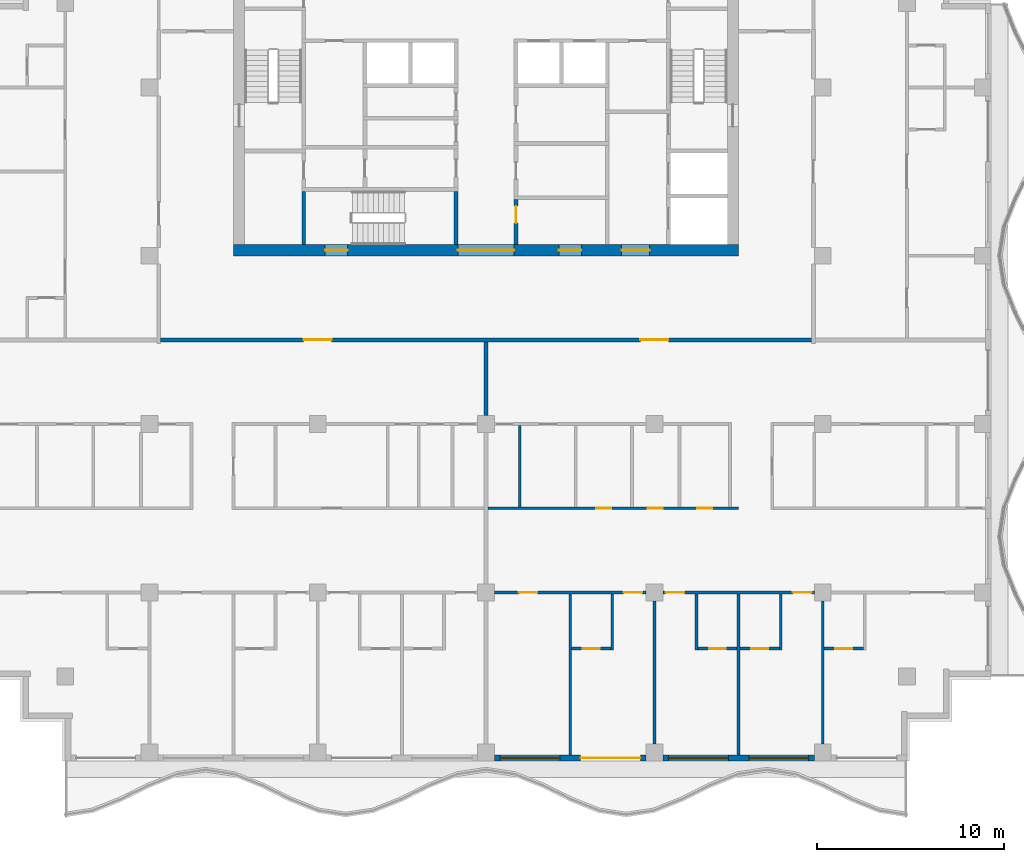
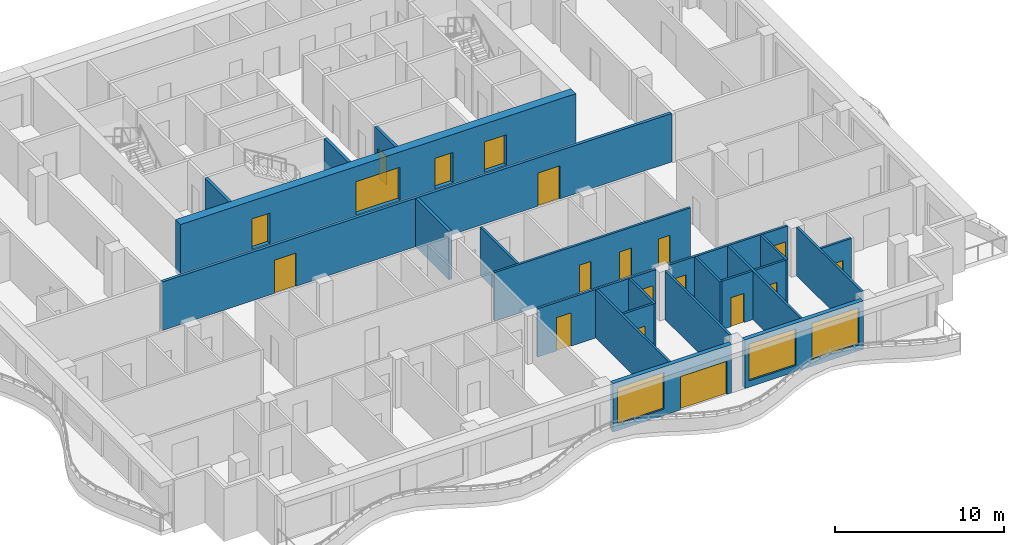
# One storey, part 3 of 11: 23 walls, 19 doors, 3 windows, 22 openings.
"""IFC4 building model written with IfcOpenShell, lengths in metres."""

from ifc_helpers import new_model, si_unit, direction, frame, frame_2d, origin, place, context, subcontext, project, spatial, rectangle, extrude, material, layer, layer_set, type_object, element, fill, save


model = new_model("IFC4")

# Units and contexts
model_context = context("Model", 3, precision=1e-05, world=origin(), true_north=direction((0.0, 1.0)))
body_context = subcontext(model_context, "Body", "Model", "MODEL_VIEW")
ifc_project = project(units=[si_unit("LENGTHUNIT", "METRE"), si_unit("AREAUNIT", "SQUARE_METRE"), si_unit("VOLUMEUNIT", "CUBIC_METRE"), si_unit("PLANEANGLEUNIT", "RADIAN"), si_unit("MASSUNIT", "GRAM", prefix="KILO")], contexts=[model_context])

# Site, building, storey
site_placement = place(None, origin())
site = spatial("IfcSite", under=ifc_project, at=site_placement, CompositionType="ELEMENT")
building_placement = place(site_placement, origin())
building = spatial("IfcBuilding", under=site, at=building_placement, Name="Orbiselva Terraces", CompositionType="ELEMENT")
storey_placement = place(building_placement, frame((0.0, 0.0, 280.6)))
storey = spatial("IfcBuildingStorey", under=building, at=storey_placement, Name="L71", CompositionType="ELEMENT", Elevation=280.6)

# Wall, openings, doors
ifc_material_1 = material(Name="Concrete C80/95", Category="concrete")
ifc_layer_1 = layer(ifc_material_1, 0.6)
ifc_layer_set_1 = layer_set([ifc_layer_1], Name="Concrete C80/95")
wall_type_1 = type_object("IfcWallType", Name="CORE WALL 600", PredefinedType="SHEAR", material=ifc_layer_set_1)
wall_1_placement = place(storey_placement, frame((-13.5, 4.8, -0.3), z_axis=(0.0, 0.0, 1.0), x_axis=(1.0, 0.0, 0.0)))
wall_1 = element("IfcWall", 1, at=wall_1_placement, inside=storey, type_object=wall_type_1, Name="Core wall L71 south", PredefinedType="SHEAR", context=body_context, shape_type="SweptSolid", body=[
    extrude(rectangle(XDim=27.0, YDim=0.6, at=frame_2d((13.5, 0.0))), origin(), (0.0, 0.0, 1.0), 3.8),
])
opening_1_placement = place(wall_1_placement, frame((12.0, 0.0, 0.3)))
opening_1 = element("IfcOpeningElement", 2, at=opening_1_placement, cuts=wall_1, Name="Opening DL3000", PredefinedType="OPENING", context=body_context, shape_type="SweptSolid", body=[
    extrude(rectangle(XDim=3.0, YDim=2.4, at=frame_2d((1.5, 1.2))), frame((0.0, 0.31, 0.0), z_axis=(0.0, -1.0, 0.0), x_axis=(1.0, 0.0, 0.0)), (0.0, 0.0, 1.0), 0.62),
])
opening_2_placement = place(wall_1_placement, frame((4.9, 0.0, 0.3)))
opening_2 = element("IfcOpeningElement", 3, at=opening_2_placement, cuts=wall_1, Name="Opening DS1200", PredefinedType="OPENING", context=body_context, shape_type="SweptSolid", body=[
    extrude(rectangle(XDim=1.2, YDim=2.2, at=frame_2d((0.6, 1.1))), frame((0.0, 0.31, 0.0), z_axis=(0.0, -1.0, 0.0), x_axis=(1.0, 0.0, 0.0)), (0.0, 0.0, 1.0), 0.62),
])
opening_3_placement = place(wall_1_placement, frame((20.75, 0.0, 0.3)))
opening_3 = element("IfcOpeningElement", 4, at=opening_3_placement, cuts=wall_1, Name="Opening DF1500", PredefinedType="OPENING", context=body_context, shape_type="SweptSolid", body=[
    extrude(rectangle(XDim=1.5, YDim=2.2, at=frame_2d((0.75, 1.1))), frame((0.0, 0.31, 0.0), z_axis=(0.0, -1.0, 0.0), x_axis=(1.0, 0.0, 0.0)), (0.0, 0.0, 1.0), 0.62),
])
opening_4_placement = place(wall_1_placement, frame((17.4, 0.0, 0.3)))
opening_4 = element("IfcOpeningElement", 5, at=opening_4_placement, cuts=wall_1, Name="Opening DV1200", PredefinedType="OPENING", context=body_context, shape_type="SweptSolid", body=[
    extrude(rectangle(XDim=1.2, YDim=2.2, at=frame_2d((0.6, 1.1))), frame((0.0, 0.31, 0.0), z_axis=(0.0, -1.0, 0.0), x_axis=(1.0, 0.0, 0.0)), (0.0, 0.0, 1.0), 0.62),
])
ifc_material_2 = material(Name="Steel fire door", Category="steel")
door_type_1 = type_object("IfcDoorType", Name="FFL DOOR 1500", OperationType="DOUBLE_DOOR_SINGLE_SWING", PredefinedType="DOOR", material=ifc_material_2)
door_1_placement = place(opening_3_placement, frame((1.5, 0.0, 0.0), z_axis=(0.0, 0.0, 1.0), x_axis=(-1.0, 0.0, 0.0)))
door_1 = element("IfcDoor", 6, at=door_1_placement, inside=storey, type_object=door_type_1, Name="L71 FIRE-FIGHTING LOBBY door", OperationType="DOUBLE_DOOR_SINGLE_SWING", OverallHeight=2.2, OverallWidth=1.5, PredefinedType="DOOR", context=body_context, shape_type="SweptSolid", body=[
    extrude(rectangle(XDim=1.5, YDim=2.2, at=frame_2d((0.75, 1.1))), frame((0.0, 0.025, 0.0), z_axis=(0.0, -1.0, 0.0), x_axis=(1.0, 0.0, 0.0)), (0.0, 0.0, 1.0), 0.05),
])
fill(opening_3, door_1)
door_type_2 = type_object("IfcDoorType", Name="LOBBY DOOR 3000", OperationType="DOUBLE_DOOR_SINGLE_SWING", PredefinedType="DOOR", material=ifc_material_2)
door_2_placement = place(opening_1_placement, frame((3.0, 0.0, 0.0), z_axis=(0.0, 0.0, 1.0), x_axis=(-1.0, 0.0, 0.0)))
door_2 = element("IfcDoor", 7, at=door_2_placement, inside=storey, type_object=door_type_2, Name="L71 LIFT LOBBY door", OperationType="DOUBLE_DOOR_SINGLE_SWING", OverallHeight=2.4, OverallWidth=3.0, PredefinedType="DOOR", context=body_context, shape_type="SweptSolid", body=[
    extrude(rectangle(XDim=3.0, YDim=2.4, at=frame_2d((1.5, 1.2))), frame((0.0, 0.025, 0.0), z_axis=(0.0, -1.0, 0.0), x_axis=(1.0, 0.0, 0.0)), (0.0, 0.0, 1.0), 0.05),
])
fill(opening_1, door_2)
door_type_3 = type_object("IfcDoorType", Name="SERVICE DOOR 1200", OperationType="NOTDEFINED", PredefinedType="DOOR", material=ifc_material_2)
door_3_placement = place(opening_4_placement, frame((1.2, 0.0, 0.0), z_axis=(0.0, 0.0, 1.0), x_axis=(-1.0, 0.0, 0.0)))
door_3 = element("IfcDoor", 8, at=door_3_placement, inside=storey, type_object=door_type_3, Name="L71 ELECTRICAL RISER ROOM door", OperationType="SINGLE_SWING_RIGHT", OverallHeight=2.2, OverallWidth=1.2, PredefinedType="DOOR", context=body_context, shape_type="SweptSolid", body=[
    extrude(rectangle(XDim=1.2, YDim=2.2, at=frame_2d((0.6, 1.1))), frame((0.0, 0.025, 0.0), z_axis=(0.0, -1.0, 0.0), x_axis=(1.0, 0.0, 0.0)), (0.0, 0.0, 1.0), 0.05),
])
fill(opening_4, door_3)
door_type_4 = type_object("IfcDoorType", Name="STAIR DOOR 1200", OperationType="NOTDEFINED", PredefinedType="DOOR", material=ifc_material_2)
door_4_placement = place(opening_2_placement, frame((1.2, 0.0, 0.0), z_axis=(0.0, 0.0, 1.0), x_axis=(-1.0, 0.0, 0.0)))
door_4 = element("IfcDoor", 9, at=door_4_placement, inside=storey, type_object=door_type_4, Name="L71 EXIT STAIR S3 door", OperationType="SINGLE_SWING_LEFT", OverallHeight=2.2, OverallWidth=1.2, PredefinedType="DOOR", context=body_context, shape_type="SweptSolid", body=[
    extrude(rectangle(XDim=1.2, YDim=2.2, at=frame_2d((0.6, 1.1))), frame((0.0, 0.025, 0.0), z_axis=(0.0, -1.0, 0.0), x_axis=(1.0, 0.0, 0.0)), (0.0, 0.0, 1.0), 0.05),
])
fill(opening_2, door_4)

# Wall, opening, door
ifc_material_3 = material(Name="Masonry blockwork", Category="masonry")
ifc_layer_2 = layer(ifc_material_3, 0.2)
ifc_layer_set_2 = layer_set([ifc_layer_2], Name="Masonry blockwork")
wall_type_2 = type_object("IfcWallType", Name="CORE-WALL-PARTITION-200", PredefinedType="PARTITIONING", material=ifc_layer_set_2)
wall_2_placement = place(storey_placement, frame((1.6, 7.5, 0.0), z_axis=(0.0, 0.0, 1.0), x_axis=(0.0, -1.0, 0.0)))
wall_2 = element("IfcWall", 10, at=wall_2_placement, inside=storey, type_object=wall_type_2, Name="L71 core wall 27", PredefinedType="PARTITIONING", context=body_context, shape_type="SweptSolid", body=[
    extrude(rectangle(XDim=2.4, YDim=0.2, at=frame_2d((1.2, 0.0))), origin(), (0.0, 0.0, 1.0), 3.5),
])
opening_5_placement = place(wall_2_placement, frame((0.35, 0.0, 0.0)))
opening_5 = element("IfcOpeningElement", 11, at=opening_5_placement, cuts=wall_2, Name="Opening DR900", PredefinedType="OPENING", context=body_context, shape_type="SweptSolid", body=[
    extrude(rectangle(XDim=0.9, YDim=2.1, at=frame_2d((0.45, 1.05))), frame((0.0, 0.11, 0.0), z_axis=(0.0, -1.0, 0.0), x_axis=(1.0, 0.0, 0.0)), (0.0, 0.0, 1.0), 0.22),
])
door_type_5 = type_object("IfcDoorType", Name="ROOM DOOR 900", OperationType="NOTDEFINED", PredefinedType="DOOR", material=ifc_material_2)
door_5_placement = place(opening_5_placement, origin())
door_5 = element("IfcDoor", 12, at=door_5_placement, inside=storey, type_object=door_type_5, Name="L71 ELECTRICAL RISER ROOM door", OperationType="SINGLE_SWING_LEFT", OverallHeight=2.1, OverallWidth=0.9, PredefinedType="DOOR", context=body_context, shape_type="SweptSolid", body=[
    extrude(rectangle(XDim=0.9, YDim=2.1, at=frame_2d((0.45, 1.05))), frame((0.0, 0.025, 0.0), z_axis=(0.0, -1.0, 0.0), x_axis=(1.0, 0.0, 0.0)), (0.0, 0.0, 1.0), 0.05),
])
fill(opening_5, door_5)

# Walls
ifc_material_4 = material(Name="Concrete C60/75", Category="concrete")
ifc_layer_3 = layer(ifc_material_4, 0.2)
ifc_layer_set_3 = layer_set([ifc_layer_3], Name="Concrete C60/75")
wall_type_3 = type_object("IfcWallType", Name="CORE-WALL-SHEAR-200", PredefinedType="SHEAR", material=ifc_layer_set_3)
for number, where, z_axis, x_axis, name in (
    (13, (-9.75, 5.1, 0.0), (0.0, 0.0, 1.0), (0.0, 1.0, 0.0), "L71 core wall 03"),
    (14, (-1.6, 5.1, 0.0), (0.0, 0.0, 1.0), (0.0, 1.0, 0.0), "L71 core wall 21"),
):
    element("IfcWall", number, at=place(storey_placement, frame(where, z_axis=z_axis, x_axis=x_axis)), inside=storey, type_object=wall_type_3, Name=name, PredefinedType="SHEAR", context=body_context, shape_type="SweptSolid", body=[
        extrude(rectangle(XDim=2.85, YDim=0.2, at=frame_2d((1.425, 0.0))), origin(), (0.0, 0.0, 1.0), 3.5),
    ])

# Wall, openings, door, window
ifc_material_5 = material(Name="Terracotta cladding on masonry backing", Category="masonry")
ifc_layer_4 = layer(ifc_material_5, 0.3)
ifc_layer_set_4 = layer_set([ifc_layer_4], Name="Terracotta cladding on masonry backing")
wall_type_4 = type_object("IfcWallType", Name="ENV-WALL-TERRACOTTA-300", PredefinedType="SOLIDWALL", material=ifc_layer_set_4)
wall_3_placement = place(storey_placement, frame((8.55, -22.35, 0.0), z_axis=(0.0, 0.0, 1.0), x_axis=(-1.0, 0.0, 0.0)))
wall_3 = element("IfcWall", 15, at=wall_3_placement, inside=storey, type_object=wall_type_4, Name="Facade wall L71 S", PredefinedType="SOLIDWALL", context=body_context, shape_type="SweptSolid", body=[
    extrude(rectangle(XDim=8.1, YDim=0.3, at=frame_2d((4.05, 0.0))), origin(), (0.0, 0.0, 1.0), 3.5),
])
opening_6_placement = place(wall_3_placement, frame((4.6, 0.0, 0.45)))
opening_6 = element("IfcOpeningElement", 16, at=opening_6_placement, cuts=wall_3, Name="Opening WN17", PredefinedType="OPENING", context=body_context, shape_type="SweptSolid", body=[
    extrude(rectangle(XDim=3.2, YDim=2.65, at=frame_2d((1.6, 1.325))), frame((0.0, 0.16, 0.0), z_axis=(0.0, -1.0, 0.0), x_axis=(1.0, 0.0, 0.0)), (0.0, 0.0, 1.0), 0.32),
])
opening_7_placement = place(wall_3_placement, frame((0.3, 0.0, 0.0)))
opening_7 = element("IfcOpeningElement", 17, at=opening_7_placement, cuts=wall_3, Name="Opening Z5-D-E13", PredefinedType="OPENING", context=body_context, shape_type="SweptSolid", body=[
    extrude(rectangle(XDim=3.2, YDim=2.4, at=frame_2d((1.6, 1.2))), frame((0.0, 0.16, 0.0), z_axis=(0.0, -1.0, 0.0), x_axis=(1.0, 0.0, 0.0)), (0.0, 0.0, 1.0), 0.32),
])
ifc_material_6 = material(Name="Clear low-e glazing in aluminium frame", Category="aluminium")
door_type_6 = type_object("IfcDoorType", Name="BALCONY DOOR 3200 X 2400", OperationType="DOUBLE_DOOR_SLIDING", PredefinedType="DOOR", material=ifc_material_6)
door_6_placement = place(opening_7_placement, origin())
door_6 = element("IfcDoor", 18, at=door_6_placement, inside=storey, type_object=door_type_6, Name="Z5-D-E13", OperationType="SINGLE_SWING_LEFT", OverallHeight=2.4, OverallWidth=3.2, PredefinedType="DOOR", context=body_context, shape_type="SweptSolid", body=[
    extrude(rectangle(XDim=3.2, YDim=2.4, at=frame_2d((1.6, 1.2))), frame((0.0, 0.025, 0.0), z_axis=(0.0, -1.0, 0.0), x_axis=(1.0, 0.0, 0.0)), (0.0, 0.0, 1.0), 0.05),
])
fill(opening_7, door_6)
window_type = type_object("IfcWindowType", Name="WINDOW 3200 X 2650 S450", PartitioningType="TRIPLE_PANEL_VERTICAL", PredefinedType="WINDOW", material=ifc_material_6)
window_1_placement = place(opening_6_placement, origin())
window_1 = element("IfcWindow", 19, at=window_1_placement, inside=storey, type_object=window_type, Name="Window L71 S", OverallHeight=2.65, OverallWidth=3.2, PartitioningType="SINGLE_PANEL", PredefinedType="WINDOW", context=body_context, shape_type="SweptSolid", body=[
    extrude(rectangle(XDim=3.2, YDim=2.65, at=frame_2d((1.6, 1.325))), frame((0.0, 0.03, 0.0), z_axis=(0.0, -1.0, 0.0), x_axis=(1.0, 0.0, 0.0)), (0.0, 0.0, 1.0), 0.06),
])
fill(opening_6, window_1)

# Wall, openings, windows
wall_4_placement = place(storey_placement, frame((17.55, -22.35, 0.0), z_axis=(0.0, 0.0, 1.0), x_axis=(-1.0, 0.0, 0.0)))
wall_4 = element("IfcWall", 20, at=wall_4_placement, inside=storey, type_object=wall_type_4, Name="Facade wall L71 S", PredefinedType="SOLIDWALL", context=body_context, shape_type="SweptSolid", body=[
    extrude(rectangle(XDim=8.1, YDim=0.3, at=frame_2d((4.05, 0.0))), origin(), (0.0, 0.0, 1.0), 3.5),
])
opening_8_placement = place(wall_4_placement, frame((4.6, 0.0, 0.45)))
opening_8 = element("IfcOpeningElement", 21, at=opening_8_placement, cuts=wall_4, Name="Opening WN17", PredefinedType="OPENING", context=body_context, shape_type="SweptSolid", body=[
    extrude(rectangle(XDim=3.2, YDim=2.65, at=frame_2d((1.6, 1.325))), frame((0.0, 0.16, 0.0), z_axis=(0.0, -1.0, 0.0), x_axis=(1.0, 0.0, 0.0)), (0.0, 0.0, 1.0), 0.32),
])
opening_9_placement = place(wall_4_placement, frame((0.3, 0.0, 0.45)))
opening_9 = element("IfcOpeningElement", 22, at=opening_9_placement, cuts=wall_4, Name="Opening WN17", PredefinedType="OPENING", context=body_context, shape_type="SweptSolid", body=[
    extrude(rectangle(XDim=3.2, YDim=2.65, at=frame_2d((1.6, 1.325))), frame((0.0, 0.16, 0.0), z_axis=(0.0, -1.0, 0.0), x_axis=(1.0, 0.0, 0.0)), (0.0, 0.0, 1.0), 0.32),
])
window_2_placement = place(opening_8_placement, origin())
window_2 = element("IfcWindow", 23, at=window_2_placement, inside=storey, type_object=window_type, Name="Window L71 S", OverallHeight=2.65, OverallWidth=3.2, PartitioningType="SINGLE_PANEL", PredefinedType="WINDOW", context=body_context, shape_type="SweptSolid", body=[
    extrude(rectangle(XDim=3.2, YDim=2.65, at=frame_2d((1.6, 1.325))), frame((0.0, 0.03, 0.0), z_axis=(0.0, -1.0, 0.0), x_axis=(1.0, 0.0, 0.0)), (0.0, 0.0, 1.0), 0.06),
])
fill(opening_8, window_2)
window_3_placement = place(opening_9_placement, origin())
window_3 = element("IfcWindow", 24, at=window_3_placement, inside=storey, type_object=window_type, Name="Window L71 S", OverallHeight=2.65, OverallWidth=3.2, PartitioningType="SINGLE_PANEL", PredefinedType="WINDOW", context=body_context, shape_type="SweptSolid", body=[
    extrude(rectangle(XDim=3.2, YDim=2.65, at=frame_2d((1.6, 1.325))), frame((0.0, 0.03, 0.0), z_axis=(0.0, -1.0, 0.0), x_axis=(1.0, 0.0, 0.0)), (0.0, 0.0, 1.0), 0.06),
])
fill(opening_9, window_3)

# Wall, openings, doors
ifc_material_7 = material(Name="Plasterboard on steel stud partition", Category="steel")
ifc_layer_5 = layer(ifc_material_7, 0.2)
ifc_layer_set_5 = layer_set([ifc_layer_5], Name="Plasterboard on steel stud partition")
wall_type_5 = type_object("IfcWallType", Name="UNIT-ENTRANCE-WALL-200", PredefinedType="PARTITIONING", material=ifc_layer_set_5)
wall_5_placement = place(storey_placement, frame((17.4, 0.0, 0.0), z_axis=(0.0, 0.0, 1.0), x_axis=(-1.0, 0.0, 0.0)))
wall_5 = element("IfcWall", 25, at=wall_5_placement, inside=storey, type_object=wall_type_5, Name="PARTITION L71-027", PredefinedType="PARTITIONING", context=body_context, shape_type="SweptSolid", body=[
    extrude(rectangle(XDim=34.8, YDim=0.2, at=frame_2d((17.4, 0.0))), origin(), (0.0, 0.0, 1.0), 3.5),
])
opening_10_placement = place(wall_5_placement, frame((25.65, 0.0, 0.0)))
opening_10 = element("IfcOpeningElement", 26, at=opening_10_placement, cuts=wall_5, Name="Opening Z5-D-15", PredefinedType="OPENING", context=body_context, shape_type="SweptSolid", body=[
    extrude(rectangle(XDim=1.5, YDim=2.4, at=frame_2d((0.75, 1.2))), frame((0.0, 0.11, 0.0), z_axis=(0.0, -1.0, 0.0), x_axis=(1.0, 0.0, 0.0)), (0.0, 0.0, 1.0), 0.22),
])
opening_11_placement = place(wall_5_placement, frame((7.65, 0.0, 0.0)))
opening_11 = element("IfcOpeningElement", 27, at=opening_11_placement, cuts=wall_5, Name="Opening Z5-D-34", PredefinedType="OPENING", context=body_context, shape_type="SweptSolid", body=[
    extrude(rectangle(XDim=1.5, YDim=2.4, at=frame_2d((0.75, 1.2))), frame((0.0, 0.11, 0.0), z_axis=(0.0, -1.0, 0.0), x_axis=(1.0, 0.0, 0.0)), (0.0, 0.0, 1.0), 0.22),
])
ifc_material_8 = material(Name="Painted timber door leaf", Category="wood")
door_type_7 = type_object("IfcDoorType", Name="ENTRANCE DOUBLE DOOR 1500", OperationType="NOTDEFINED", PredefinedType="DOOR", material=ifc_material_8)
door_7_placement = place(opening_10_placement, origin())
door_7 = element("IfcDoor", 28, at=door_7_placement, inside=storey, type_object=door_type_7, Name="Z5-D-15", OperationType="DOUBLE_DOOR_SINGLE_SWING", OverallHeight=2.4, OverallWidth=1.5, PredefinedType="DOOR", context=body_context, shape_type="SweptSolid", body=[
    extrude(rectangle(XDim=1.5, YDim=2.4, at=frame_2d((0.75, 1.2))), frame((0.0, 0.025, 0.0), z_axis=(0.0, -1.0, 0.0), x_axis=(1.0, 0.0, 0.0)), (0.0, 0.0, 1.0), 0.05),
])
fill(opening_10, door_7)
door_8_placement = place(opening_11_placement, origin())
door_8 = element("IfcDoor", 29, at=door_8_placement, inside=storey, type_object=door_type_7, Name="Z5-D-34", OperationType="DOUBLE_DOOR_SINGLE_SWING", OverallHeight=2.4, OverallWidth=1.5, PredefinedType="DOOR", context=body_context, shape_type="SweptSolid", body=[
    extrude(rectangle(XDim=1.5, YDim=2.4, at=frame_2d((0.75, 1.2))), frame((0.0, 0.025, 0.0), z_axis=(0.0, -1.0, 0.0), x_axis=(1.0, 0.0, 0.0)), (0.0, 0.0, 1.0), 0.05),
])
fill(opening_11, door_8)

# Wall, opening, door
ifc_layer_6 = layer(ifc_material_7, 0.15)
ifc_layer_set_6 = layer_set([ifc_layer_6], Name="Plasterboard on steel stud partition")
wall_type_6 = type_object("IfcWallType", Name="UNIT-PARTITION-150", PredefinedType="PARTITIONING", material=ifc_layer_set_6)
wall_6_placement = place(storey_placement, frame((4.575, -16.5, 0.0), z_axis=(0.0, 0.0, 1.0), x_axis=(1.0, 0.0, 0.0)))
wall_6 = element("IfcWall", 30, at=wall_6_placement, inside=storey, type_object=wall_type_6, Name="PARTITION L71-005", PredefinedType="PARTITIONING", context=body_context, shape_type="SweptSolid", body=[
    extrude(rectangle(XDim=2.1, YDim=0.15, at=frame_2d((1.05, 0.0))), origin(), (0.0, 0.0, 1.0), 3.5),
])
opening_12_placement = place(wall_6_placement, frame((0.6, 0.0, 0.0)))
opening_12 = element("IfcOpeningElement", 31, at=opening_12_placement, cuts=wall_6, Name="Opening Z5-D-51", PredefinedType="OPENING", context=body_context, shape_type="SweptSolid", body=[
    extrude(rectangle(XDim=0.9, YDim=2.1, at=frame_2d((0.45, 1.05))), frame((0.0, 0.085, 0.0), z_axis=(0.0, -1.0, 0.0), x_axis=(1.0, 0.0, 0.0)), (0.0, 0.0, 1.0), 0.17),
])
door_type_8 = type_object("IfcDoorType", Name="BATH DOOR 900", OperationType="NOTDEFINED", PredefinedType="DOOR", material=ifc_material_8)
door_9_placement = place(opening_12_placement, origin())
door_9 = element("IfcDoor", 32, at=door_9_placement, inside=storey, type_object=door_type_8, Name="Z5-D-51", OperationType="SINGLE_SWING_LEFT", OverallHeight=2.1, OverallWidth=0.9, PredefinedType="DOOR", context=body_context, shape_type="SweptSolid", body=[
    extrude(rectangle(XDim=0.9, YDim=2.1, at=frame_2d((0.45, 1.05))), frame((0.0, 0.025, 0.0), z_axis=(0.0, -1.0, 0.0), x_axis=(1.0, 0.0, 0.0)), (0.0, 0.0, 1.0), 0.05),
])
fill(opening_12, door_9)

wall_7_placement = place(storey_placement, frame((11.325, -16.5, 0.0), z_axis=(0.0, 0.0, 1.0), x_axis=(1.0, 0.0, 0.0)))
wall_7 = element("IfcWall", 33, at=wall_7_placement, inside=storey, type_object=wall_type_6, Name="PARTITION L71-006", PredefinedType="PARTITIONING", context=body_context, shape_type="SweptSolid", body=[
    extrude(rectangle(XDim=2.1, YDim=0.15, at=frame_2d((1.05, 0.0))), origin(), (0.0, 0.0, 1.0), 3.5),
])
opening_13_placement = place(wall_7_placement, frame((0.6, 0.0, 0.0)))
opening_13 = element("IfcOpeningElement", 34, at=opening_13_placement, cuts=wall_7, Name="Opening Z5-D-49", PredefinedType="OPENING", context=body_context, shape_type="SweptSolid", body=[
    extrude(rectangle(XDim=0.9, YDim=2.1, at=frame_2d((0.45, 1.05))), frame((0.0, 0.085, 0.0), z_axis=(0.0, -1.0, 0.0), x_axis=(1.0, 0.0, 0.0)), (0.0, 0.0, 1.0), 0.17),
])
door_10_placement = place(opening_13_placement, origin())
door_10 = element("IfcDoor", 35, at=door_10_placement, inside=storey, type_object=door_type_8, Name="Z5-D-49", OperationType="SINGLE_SWING_LEFT", OverallHeight=2.1, OverallWidth=0.9, PredefinedType="DOOR", context=body_context, shape_type="SweptSolid", body=[
    extrude(rectangle(XDim=0.9, YDim=2.1, at=frame_2d((0.45, 1.05))), frame((0.0, 0.025, 0.0), z_axis=(0.0, -1.0, 0.0), x_axis=(1.0, 0.0, 0.0)), (0.0, 0.0, 1.0), 0.05),
])
fill(opening_13, door_10)

wall_8_placement = place(storey_placement, frame((13.575, -16.5, 0.0), z_axis=(0.0, 0.0, 1.0), x_axis=(1.0, 0.0, 0.0)))
wall_8 = element("IfcWall", 36, at=wall_8_placement, inside=storey, type_object=wall_type_6, Name="PARTITION L71-007", PredefinedType="PARTITIONING", context=body_context, shape_type="SweptSolid", body=[
    extrude(rectangle(XDim=2.1, YDim=0.15, at=frame_2d((1.05, 0.0))), origin(), (0.0, 0.0, 1.0), 3.5),
])
opening_14_placement = place(wall_8_placement, frame((0.6, 0.0, 0.0)))
opening_14 = element("IfcOpeningElement", 37, at=opening_14_placement, cuts=wall_8, Name="Opening Z5-D-47", PredefinedType="OPENING", context=body_context, shape_type="SweptSolid", body=[
    extrude(rectangle(XDim=0.9, YDim=2.1, at=frame_2d((0.45, 1.05))), frame((0.0, 0.085, 0.0), z_axis=(0.0, -1.0, 0.0), x_axis=(1.0, 0.0, 0.0)), (0.0, 0.0, 1.0), 0.17),
])
door_11_placement = place(opening_14_placement, origin())
door_11 = element("IfcDoor", 38, at=door_11_placement, inside=storey, type_object=door_type_8, Name="Z5-D-47", OperationType="SINGLE_SWING_LEFT", OverallHeight=2.1, OverallWidth=0.9, PredefinedType="DOOR", context=body_context, shape_type="SweptSolid", body=[
    extrude(rectangle(XDim=0.9, YDim=2.1, at=frame_2d((0.45, 1.05))), frame((0.0, 0.025, 0.0), z_axis=(0.0, -1.0, 0.0), x_axis=(1.0, 0.0, 0.0)), (0.0, 0.0, 1.0), 0.05),
])
fill(opening_14, door_11)

wall_9_placement = place(storey_placement, frame((18.075, -16.5, 0.0), z_axis=(0.0, 0.0, 1.0), x_axis=(1.0, 0.0, 0.0)))
wall_9 = element("IfcWall", 39, at=wall_9_placement, inside=storey, type_object=wall_type_6, Name="PARTITION L71-008", PredefinedType="PARTITIONING", context=body_context, shape_type="SweptSolid", body=[
    extrude(rectangle(XDim=2.1, YDim=0.15, at=frame_2d((1.05, 0.0))), origin(), (0.0, 0.0, 1.0), 3.5),
])
opening_15_placement = place(wall_9_placement, frame((0.6, 0.0, 0.0)))
opening_15 = element("IfcOpeningElement", 40, at=opening_15_placement, cuts=wall_9, Name="Opening Z5-D-45", PredefinedType="OPENING", context=body_context, shape_type="SweptSolid", body=[
    extrude(rectangle(XDim=0.9, YDim=2.1, at=frame_2d((0.45, 1.05))), frame((0.0, 0.085, 0.0), z_axis=(0.0, -1.0, 0.0), x_axis=(1.0, 0.0, 0.0)), (0.0, 0.0, 1.0), 0.17),
])
door_12_placement = place(opening_15_placement, origin())
door_12 = element("IfcDoor", 41, at=door_12_placement, inside=storey, type_object=door_type_8, Name="Z5-D-45", OperationType="SINGLE_SWING_LEFT", OverallHeight=2.1, OverallWidth=0.9, PredefinedType="DOOR", context=body_context, shape_type="SweptSolid", body=[
    extrude(rectangle(XDim=0.9, YDim=2.1, at=frame_2d((0.45, 1.05))), frame((0.0, 0.025, 0.0), z_axis=(0.0, -1.0, 0.0), x_axis=(1.0, 0.0, 0.0)), (0.0, 0.0, 1.0), 0.05),
])
fill(opening_15, door_12)

# Wall, openings, doors
wall_10_placement = place(storey_placement, frame((8.55, -13.5, 0.0), z_axis=(0.0, 0.0, 1.0), x_axis=(-1.0, 0.0, 0.0)))
wall_10 = element("IfcWall", 42, at=wall_10_placement, inside=storey, type_object=wall_type_6, Name="PARTITION L71-012", PredefinedType="PARTITIONING", context=body_context, shape_type="SweptSolid", body=[
    extrude(rectangle(XDim=8.1, YDim=0.15, at=frame_2d((4.05, 0.0))), origin(), (0.0, 0.0, 1.0), 3.5),
])
opening_16_placement = place(wall_10_placement, frame((0.2, 0.0, 0.0)))
opening_16 = element("IfcOpeningElement", 43, at=opening_16_placement, cuts=wall_10, Name="Opening Z5-D-50", PredefinedType="OPENING", context=body_context, shape_type="SweptSolid", body=[
    extrude(rectangle(XDim=1.0, YDim=2.4, at=frame_2d((0.5, 1.2))), frame((0.0, 0.085, 0.0), z_axis=(0.0, -1.0, 0.0), x_axis=(1.0, 0.0, 0.0)), (0.0, 0.0, 1.0), 0.17),
])
opening_17_placement = place(wall_10_placement, frame((5.8, 0.0, 0.0)))
opening_17 = element("IfcOpeningElement", 44, at=opening_17_placement, cuts=wall_10, Name="Opening Z5-D-52", PredefinedType="OPENING", context=body_context, shape_type="SweptSolid", body=[
    extrude(rectangle(XDim=1.0, YDim=2.4, at=frame_2d((0.5, 1.2))), frame((0.0, 0.085, 0.0), z_axis=(0.0, -1.0, 0.0), x_axis=(1.0, 0.0, 0.0)), (0.0, 0.0, 1.0), 0.17),
])
door_type_9 = type_object("IfcDoorType", Name="ROOM DOOR 1000", OperationType="NOTDEFINED", PredefinedType="DOOR", material=ifc_material_8)
door_13_placement = place(opening_16_placement, origin())
door_13 = element("IfcDoor", 45, at=door_13_placement, inside=storey, type_object=door_type_9, Name="Z5-D-50", OperationType="SINGLE_SWING_LEFT", OverallHeight=2.4, OverallWidth=1.0, PredefinedType="DOOR", context=body_context, shape_type="SweptSolid", body=[
    extrude(rectangle(XDim=1.0, YDim=2.4, at=frame_2d((0.5, 1.2))), frame((0.0, 0.025, 0.0), z_axis=(0.0, -1.0, 0.0), x_axis=(1.0, 0.0, 0.0)), (0.0, 0.0, 1.0), 0.05),
])
fill(opening_16, door_13)
door_14_placement = place(opening_17_placement, origin())
door_14 = element("IfcDoor", 46, at=door_14_placement, inside=storey, type_object=door_type_9, Name="Z5-D-52", OperationType="SINGLE_SWING_RIGHT", OverallHeight=2.4, OverallWidth=1.0, PredefinedType="DOOR", context=body_context, shape_type="SweptSolid", body=[
    extrude(rectangle(XDim=1.0, YDim=2.4, at=frame_2d((0.5, 1.2))), frame((0.0, 0.025, 0.0), z_axis=(0.0, -1.0, 0.0), x_axis=(1.0, 0.0, 0.0)), (0.0, 0.0, 1.0), 0.05),
])
fill(opening_17, door_14)

wall_11_placement = place(storey_placement, frame((17.55, -13.5, 0.0), z_axis=(0.0, 0.0, 1.0), x_axis=(-1.0, 0.0, 0.0)))
wall_11 = element("IfcWall", 47, at=wall_11_placement, inside=storey, type_object=wall_type_6, Name="PARTITION L71-013", PredefinedType="PARTITIONING", context=body_context, shape_type="SweptSolid", body=[
    extrude(rectangle(XDim=8.1, YDim=0.15, at=frame_2d((4.05, 0.0))), origin(), (0.0, 0.0, 1.0), 3.5),
])
opening_18_placement = place(wall_11_placement, frame((0.15, 0.0, 0.0)))
opening_18 = element("IfcOpeningElement", 48, at=opening_18_placement, cuts=wall_11, Name="Opening Z5-D-46", PredefinedType="OPENING", context=body_context, shape_type="SweptSolid", body=[
    extrude(rectangle(XDim=1.0, YDim=2.4, at=frame_2d((0.5, 1.2))), frame((0.0, 0.085, 0.0), z_axis=(0.0, -1.0, 0.0), x_axis=(1.0, 0.0, 0.0)), (0.0, 0.0, 1.0), 0.17),
])
opening_19_placement = place(wall_11_placement, frame((6.95, 0.0, 0.0)))
opening_19 = element("IfcOpeningElement", 49, at=opening_19_placement, cuts=wall_11, Name="Opening Z5-D-48", PredefinedType="OPENING", context=body_context, shape_type="SweptSolid", body=[
    extrude(rectangle(XDim=1.0, YDim=2.4, at=frame_2d((0.5, 1.2))), frame((0.0, 0.085, 0.0), z_axis=(0.0, -1.0, 0.0), x_axis=(1.0, 0.0, 0.0)), (0.0, 0.0, 1.0), 0.17),
])
door_15_placement = place(opening_18_placement, origin())
door_15 = element("IfcDoor", 50, at=door_15_placement, inside=storey, type_object=door_type_9, Name="Z5-D-46", OperationType="SINGLE_SWING_LEFT", OverallHeight=2.4, OverallWidth=1.0, PredefinedType="DOOR", context=body_context, shape_type="SweptSolid", body=[
    extrude(rectangle(XDim=1.0, YDim=2.4, at=frame_2d((0.5, 1.2))), frame((0.0, 0.025, 0.0), z_axis=(0.0, -1.0, 0.0), x_axis=(1.0, 0.0, 0.0)), (0.0, 0.0, 1.0), 0.05),
])
fill(opening_18, door_15)
door_16_placement = place(opening_19_placement, origin())
door_16 = element("IfcDoor", 51, at=door_16_placement, inside=storey, type_object=door_type_9, Name="Z5-D-48", OperationType="SINGLE_SWING_RIGHT", OverallHeight=2.4, OverallWidth=1.0, PredefinedType="DOOR", context=body_context, shape_type="SweptSolid", body=[
    extrude(rectangle(XDim=1.0, YDim=2.4, at=frame_2d((0.5, 1.2))), frame((0.0, 0.025, 0.0), z_axis=(0.0, -1.0, 0.0), x_axis=(1.0, 0.0, 0.0)), (0.0, 0.0, 1.0), 0.05),
])
fill(opening_19, door_16)

wall_12_placement = place(storey_placement, frame((0.1, -9.0, 0.0), z_axis=(0.0, 0.0, 1.0), x_axis=(1.0, 0.0, 0.0)))
wall_12 = element("IfcWall", 52, at=wall_12_placement, inside=storey, type_object=wall_type_6, Name="PARTITION L71-017", PredefinedType="PARTITIONING", context=body_context, shape_type="SweptSolid", body=[
    extrude(rectangle(XDim=13.4, YDim=0.15, at=frame_2d((6.7, 0.0))), origin(), (0.0, 0.0, 1.0), 3.5),
])
opening_20_placement = place(wall_12_placement, frame((11.2, 0.0, 0.0)))
opening_20 = element("IfcOpeningElement", 53, at=opening_20_placement, cuts=wall_12, Name="Opening Z5-D-39", PredefinedType="OPENING", context=body_context, shape_type="SweptSolid", body=[
    extrude(rectangle(XDim=0.8, YDim=2.0, at=frame_2d((0.4, 1.0))), frame((0.0, 0.085, 0.0), z_axis=(0.0, -1.0, 0.0), x_axis=(1.0, 0.0, 0.0)), (0.0, 0.0, 1.0), 0.17),
])
opening_21_placement = place(wall_12_placement, frame((8.55, 0.0, 0.0)))
opening_21 = element("IfcOpeningElement", 54, at=opening_21_placement, cuts=wall_12, Name="Opening Z5-D-40", PredefinedType="OPENING", context=body_context, shape_type="SweptSolid", body=[
    extrude(rectangle(XDim=0.8, YDim=2.0, at=frame_2d((0.4, 1.0))), frame((0.0, 0.085, 0.0), z_axis=(0.0, -1.0, 0.0), x_axis=(1.0, 0.0, 0.0)), (0.0, 0.0, 1.0), 0.17),
])
opening_22_placement = place(wall_12_placement, frame((5.8, 0.0, 0.0)))
opening_22 = element("IfcOpeningElement", 55, at=opening_22_placement, cuts=wall_12, Name="Opening Z5-D-41", PredefinedType="OPENING", context=body_context, shape_type="SweptSolid", body=[
    extrude(rectangle(XDim=0.8, YDim=2.0, at=frame_2d((0.4, 1.0))), frame((0.0, 0.085, 0.0), z_axis=(0.0, -1.0, 0.0), x_axis=(1.0, 0.0, 0.0)), (0.0, 0.0, 1.0), 0.17),
])
door_type_10 = type_object("IfcDoorType", Name="STORE DOOR 800", OperationType="NOTDEFINED", PredefinedType="DOOR", material=ifc_material_8)
door_17_placement = place(opening_20_placement, origin())
door_17 = element("IfcDoor", 56, at=door_17_placement, inside=storey, type_object=door_type_10, Name="Z5-D-39", OperationType="SINGLE_SWING_RIGHT", OverallHeight=2.0, OverallWidth=0.8, PredefinedType="DOOR", context=body_context, shape_type="SweptSolid", body=[
    extrude(rectangle(XDim=0.8, YDim=2.0, at=frame_2d((0.4, 1.0))), frame((0.0, 0.025, 0.0), z_axis=(0.0, -1.0, 0.0), x_axis=(1.0, 0.0, 0.0)), (0.0, 0.0, 1.0), 0.05),
])
fill(opening_20, door_17)
door_18_placement = place(opening_21_placement, origin())
door_18 = element("IfcDoor", 57, at=door_18_placement, inside=storey, type_object=door_type_10, Name="Z5-D-40", OperationType="SINGLE_SWING_RIGHT", OverallHeight=2.0, OverallWidth=0.8, PredefinedType="DOOR", context=body_context, shape_type="SweptSolid", body=[
    extrude(rectangle(XDim=0.8, YDim=2.0, at=frame_2d((0.4, 1.0))), frame((0.0, 0.025, 0.0), z_axis=(0.0, -1.0, 0.0), x_axis=(1.0, 0.0, 0.0)), (0.0, 0.0, 1.0), 0.05),
])
fill(opening_21, door_18)
door_19_placement = place(opening_22_placement, origin())
door_19 = element("IfcDoor", 58, at=door_19_placement, inside=storey, type_object=door_type_10, Name="Z5-D-41", OperationType="SINGLE_SWING_LEFT", OverallHeight=2.0, OverallWidth=0.8, PredefinedType="DOOR", context=body_context, shape_type="SweptSolid", body=[
    extrude(rectangle(XDim=0.8, YDim=2.0, at=frame_2d((0.4, 1.0))), frame((0.0, 0.025, 0.0), z_axis=(0.0, -1.0, 0.0), x_axis=(1.0, 0.0, 0.0)), (0.0, 0.0, 1.0), 0.05),
])
fill(opening_22, door_19)

# Walls
wall_13_placement = place(storey_placement, frame((1.8, -8.925, 0.0), z_axis=(0.0, 0.0, 1.0), x_axis=(0.0, 1.0, 0.0)))
element("IfcWall", 59, at=wall_13_placement, inside=storey, type_object=wall_type_6, Name="PARTITION L71-069", PredefinedType="PARTITIONING", context=body_context, shape_type="SweptSolid", body=[
    extrude(rectangle(XDim=4.35, YDim=0.15, at=frame_2d((2.175, 0.0))), origin(), (0.0, 0.0, 1.0), 3.5),
])
wall_14_placement = place(storey_placement, frame((4.5, -22.2, 0.0), z_axis=(0.0, 0.0, 1.0), x_axis=(0.0, 1.0, 0.0)))
element("IfcWall", 60, at=wall_14_placement, inside=storey, type_object=wall_type_6, Name="PARTITION L71-070", PredefinedType="PARTITIONING", context=body_context, shape_type="SweptSolid", body=[
    extrude(rectangle(XDim=8.625, YDim=0.15, at=frame_2d((4.3125, 0.0))), origin(), (0.0, 0.0, 1.0), 3.5),
])
wall_15_placement = place(storey_placement, frame((6.75, -16.575, 0.0), z_axis=(0.0, 0.0, 1.0), x_axis=(0.0, 1.0, 0.0)))
element("IfcWall", 61, at=wall_15_placement, inside=storey, type_object=wall_type_6, Name="PARTITION L71-072", PredefinedType="PARTITIONING", context=body_context, shape_type="SweptSolid", body=[
    extrude(rectangle(XDim=3.0, YDim=0.15, at=frame_2d((1.5, 0.0))), origin(), (0.0, 0.0, 1.0), 3.5),
])
wall_16_placement = place(storey_placement, frame((9.0, -21.6, 0.0), z_axis=(0.0, 0.0, 1.0), x_axis=(0.0, 1.0, 0.0)))
element("IfcWall", 62, at=wall_16_placement, inside=storey, type_object=wall_type_6, Name="PARTITION L71-074", PredefinedType="PARTITIONING", context=body_context, shape_type="SweptSolid", body=[
    extrude(rectangle(XDim=7.65, YDim=0.15, at=frame_2d((3.825, 0.0))), origin(), (0.0, 0.0, 1.0), 3.5),
])
wall_17_placement = place(storey_placement, frame((11.25, -16.575, 0.0), z_axis=(0.0, 0.0, 1.0), x_axis=(0.0, 1.0, 0.0)))
element("IfcWall", 63, at=wall_17_placement, inside=storey, type_object=wall_type_6, Name="PARTITION L71-076", PredefinedType="PARTITIONING", context=body_context, shape_type="SweptSolid", body=[
    extrude(rectangle(XDim=3.0, YDim=0.15, at=frame_2d((1.5, 0.0))), origin(), (0.0, 0.0, 1.0), 3.5),
])
wall_18_placement = place(storey_placement, frame((13.5, -22.2, 0.0), z_axis=(0.0, 0.0, 1.0), x_axis=(0.0, 1.0, 0.0)))
element("IfcWall", 64, at=wall_18_placement, inside=storey, type_object=wall_type_6, Name="PARTITION L71-078", PredefinedType="PARTITIONING", context=body_context, shape_type="SweptSolid", body=[
    extrude(rectangle(XDim=8.625, YDim=0.15, at=frame_2d((4.3125, 0.0))), origin(), (0.0, 0.0, 1.0), 3.5),
])
wall_19_placement = place(storey_placement, frame((15.75, -16.575, 0.0), z_axis=(0.0, 0.0, 1.0), x_axis=(0.0, 1.0, 0.0)))
element("IfcWall", 65, at=wall_19_placement, inside=storey, type_object=wall_type_6, Name="PARTITION L71-080", PredefinedType="PARTITIONING", context=body_context, shape_type="SweptSolid", body=[
    extrude(rectangle(XDim=3.0, YDim=0.15, at=frame_2d((1.5, 0.0))), origin(), (0.0, 0.0, 1.0), 3.5),
])
wall_20_placement = place(storey_placement, frame((18.0, -21.6, 0.0), z_axis=(0.0, 0.0, 1.0), x_axis=(0.0, 1.0, 0.0)))
element("IfcWall", 66, at=wall_20_placement, inside=storey, type_object=wall_type_6, Name="PARTITION L71-086", PredefinedType="PARTITIONING", context=body_context, shape_type="SweptSolid", body=[
    extrude(rectangle(XDim=7.65, YDim=0.15, at=frame_2d((3.825, 0.0))), origin(), (0.0, 0.0, 1.0), 3.5),
])
ifc_layer_7 = layer(ifc_material_7, 0.2)
ifc_layer_set_7 = layer_set([ifc_layer_7], Name="Plasterboard on steel stud partition")
wall_type_7 = type_object("IfcWallType", Name="UNIT-PARTY-WALL-200", PredefinedType="PARTITIONING", material=ifc_layer_set_7)
wall_21_placement = place(storey_placement, frame((0.0, -4.05, 0.0), z_axis=(0.0, 0.0, 1.0), x_axis=(0.0, 1.0, 0.0)))
element("IfcWall", 67, at=wall_21_placement, inside=storey, type_object=wall_type_7, Name="PARTITION L71-068", PredefinedType="PARTITIONING", context=body_context, shape_type="SweptSolid", body=[
    extrude(rectangle(XDim=3.95, YDim=0.2, at=frame_2d((1.975, 0.0))), origin(), (0.0, 0.0, 1.0), 3.5),
])

save(model, "model.ifc")
